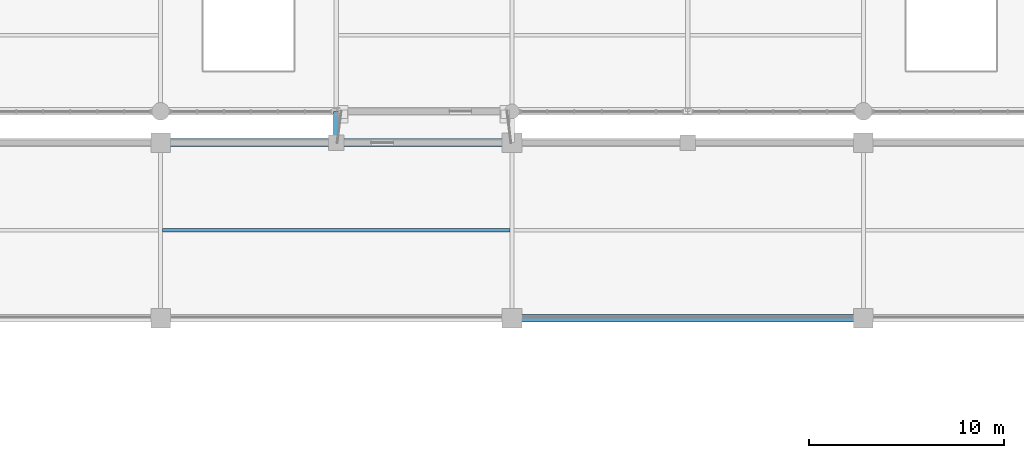
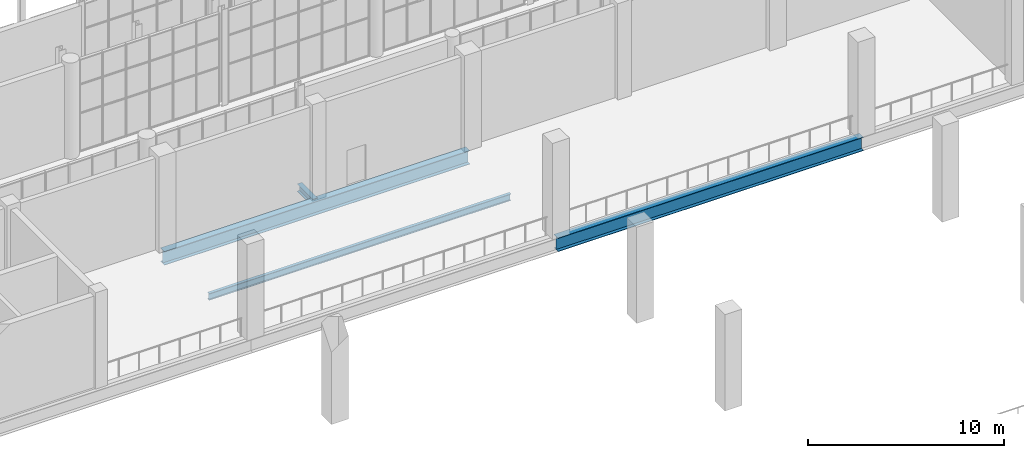
# One storey, part 42 of 159: 4 beams.
"""IFC4 building model written with IfcOpenShell, lengths in metres."""

from ifc_helpers import new_model, si_unit, direction, frame, origin, origin_2d, place, context, subcontext, project, spatial, i_section, extrude, material, material_profile, profile_set, type_object, element, save


model = new_model("IFC4")

# Units and contexts
model_context = context("Model", 3, precision=1e-05, world=origin(), true_north=direction((0.0, 1.0)))
body_context = subcontext(model_context, "Body", "Model", "MODEL_VIEW")
ifc_project = project(units=[si_unit("LENGTHUNIT", "METRE"), si_unit("AREAUNIT", "SQUARE_METRE"), si_unit("VOLUMEUNIT", "CUBIC_METRE"), si_unit("PLANEANGLEUNIT", "RADIAN"), si_unit("MASSUNIT", "GRAM", prefix="KILO")], contexts=[model_context])

# Site, building, storey
site_placement = place(None, origin())
site = spatial("IfcSite", under=ifc_project, at=site_placement, CompositionType="ELEMENT")
building_placement = place(site_placement, origin())
building = spatial("IfcBuilding", under=site, at=building_placement, Name="Cazmaro Siding Exhibition Halls", CompositionType="ELEMENT")
storey_placement = place(building_placement, frame((0.0, 0.0, 6.0)))
storey = spatial("IfcBuildingStorey", under=building, at=storey_placement, Name="L01", CompositionType="ELEMENT", Elevation=6.0)

# Beams
ifc_material_1 = material(Name="Steel ASTM A992 Grade 50", Category="steel")
ifc_material_profile_1 = material_profile(ifc_material_1, i_section(OverallWidth=0.279052734375, OverallDepth=0.4619140625, WebThickness=0.010986328125, FlangeThickness=0.01708984375, at=origin_2d()), Name="W18X76")
ifc_profile_set_1 = profile_set([ifc_material_profile_1], Name="Steel ASTM A992 Grade 50")
beam_type_1 = type_object("IfcBeamType", Name="B-03", PredefinedType="BEAM", material=ifc_profile_set_1)
beam_1_placement = place(storey_placement, frame((99.0, 53.60009765625, -0.450927734375), z_axis=(0.0, 1.0, 0.0), x_axis=(-1.0, 0.0, 0.0)))
element("IfcBeam", 1, at=beam_1_placement, inside=storey, type_object=beam_type_1, Name="Beam B-03 BM-2526", PredefinedType="BEAM", context=body_context, shape_type="SweptSolid", body=[
    extrude(i_section(OverallWidth=0.279052734375, OverallDepth=0.4619140625, WebThickness=0.010986328125, FlangeThickness=0.01708984375, at=origin_2d()), origin(), (0.0, 0.0, 1.0), 1.599853515625),
])
ifc_material_2 = material(Name="Steel ASTM A992 Grade 50", Category="steel")
ifc_material_profile_2 = material_profile(ifc_material_2, i_section(OverallWidth=0.40087890625, OverallDepth=0.85595703125, WebThickness=0.01806640625, FlangeThickness=0.029052734375, at=origin_2d()), Name="W33X201")
ifc_profile_set_2 = profile_set([ifc_material_profile_2], Name="Steel ASTM A992 Grade 50")
beam_type_2 = type_object("IfcBeamType", Name="G-09", PredefinedType="USERDEFINED", material=ifc_profile_set_2)
for number, where, z_axis, x_axis, name in (
    (2, (90.0, 53.60009765625, -0.677978515625), (1.0, 0.0, 0.0), (0.0, 1.0, 0.0), "Beam G-09 BM-1240"),
    (3, (108.0, 44.60009765625, -0.677978515625), (1.0, 0.0, 0.0), (0.0, 1.0, 0.0), "Beam G-09 BM-1245"),
):
    element("IfcBeam", number, at=place(storey_placement, frame(where, z_axis=z_axis, x_axis=x_axis)), inside=storey, type_object=beam_type_2, Name=name, ObjectType="GIRDER", PredefinedType="USERDEFINED", context=body_context, shape_type="SweptSolid", body=[
        extrude(i_section(OverallWidth=0.40087890625, OverallDepth=0.85595703125, WebThickness=0.01806640625, FlangeThickness=0.029052734375, at=origin_2d()), origin(), (0.0, 0.0, 1.0), 18.0),
    ])
ifc_material_3 = material(Name="Steel ASTM A992 Grade 50", Category="steel")
ifc_material_profile_3 = material_profile(ifc_material_3, i_section(OverallWidth=0.180908203125, OverallDepth=0.4169921875, WebThickness=0.010986328125, FlangeThickness=0.01806640625, at=origin_2d()), Name="W16X57")
ifc_profile_set_3 = profile_set([ifc_material_profile_3], Name="Steel ASTM A992 Grade 50")
beam_type_3 = type_object("IfcBeamType", Name="J-03", PredefinedType="JOIST", material=ifc_profile_set_3)
beam_2_placement = place(storey_placement, frame((90.10693359375, 49.10009765625, -0.4580078125), z_axis=(1.0, 0.0, 0.0), x_axis=(0.0, 1.0, 0.0)))
element("IfcBeam", 4, at=beam_2_placement, inside=storey, type_object=beam_type_3, Name="Beam J-03 BM-1241", PredefinedType="JOIST", context=body_context, shape_type="SweptSolid", body=[
    extrude(i_section(OverallWidth=0.180908203125, OverallDepth=0.4169921875, WebThickness=0.010986328125, FlangeThickness=0.01806640625, at=origin_2d()), origin(), (0.0, 0.0, 1.0), 17.7861328125),
])

save(model, "model.ifc")
